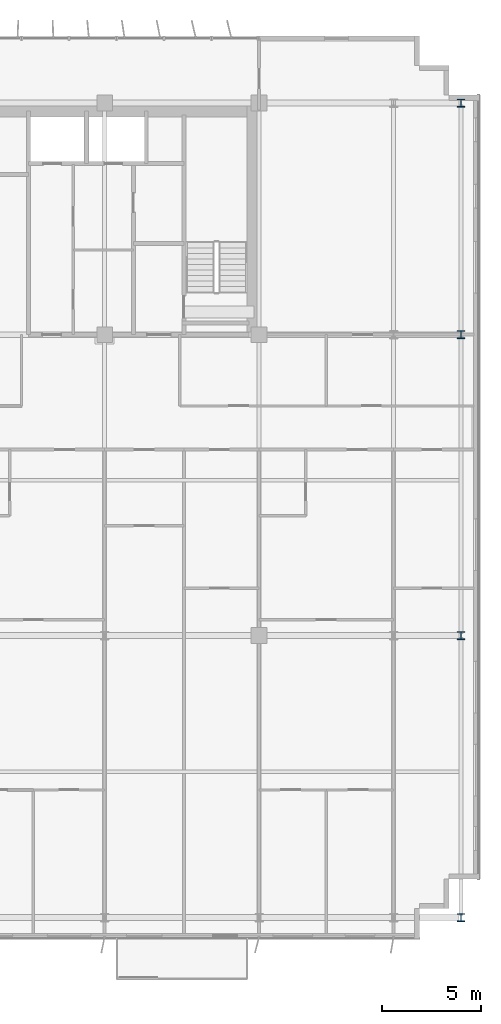
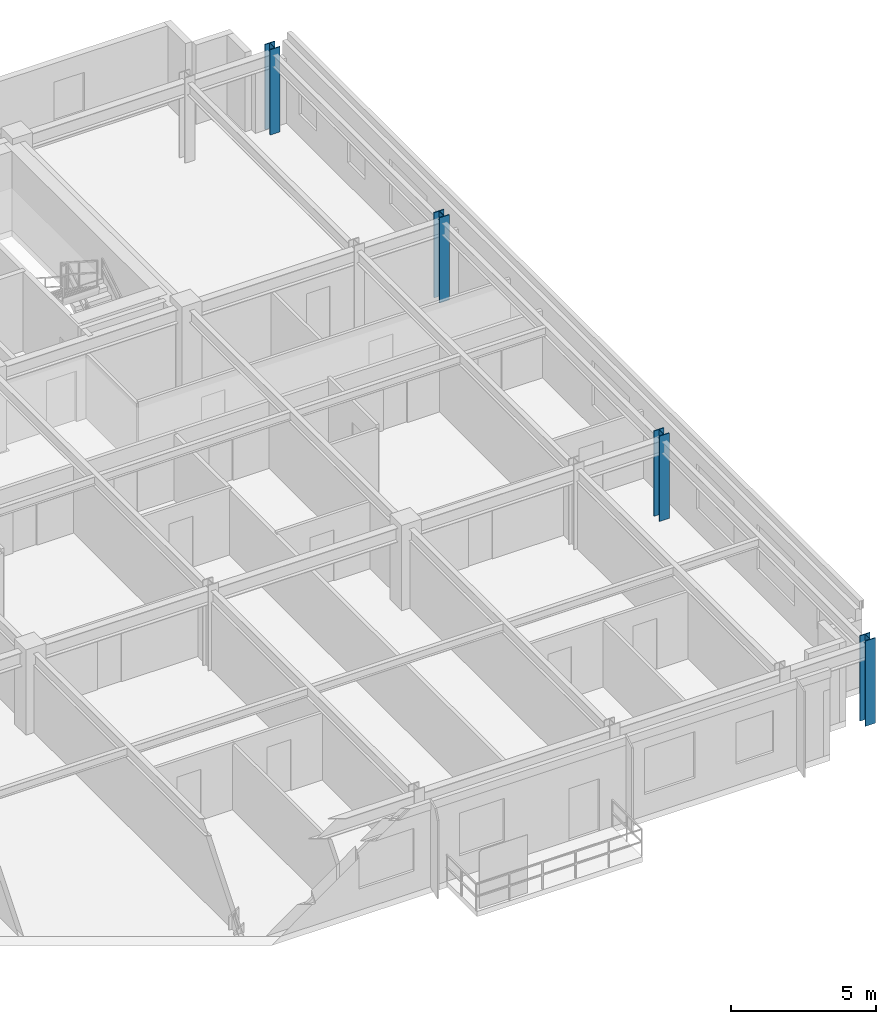
# One storey, part 3 of 21: 4 columns.
"""IFC4 building model written with IfcOpenShell, lengths in metres."""

from ifc_helpers import new_model, si_unit, direction, frame, origin, origin_2d, place, context, subcontext, project, spatial, i_section, extrude, source, transform, mapped, material, material_profile, profile_set, type_object, element, save


model = new_model("IFC4")

# Units and contexts
model_context = context("Model", 3, precision=1e-05, world=origin(), true_north=direction((0.0, 1.0)))
body_context = subcontext(model_context, "Body", "Model", "MODEL_VIEW")
ifc_project = project(units=[si_unit("LENGTHUNIT", "METRE"), si_unit("AREAUNIT", "SQUARE_METRE"), si_unit("VOLUMEUNIT", "CUBIC_METRE"), si_unit("PLANEANGLEUNIT", "RADIAN"), si_unit("MASSUNIT", "GRAM", prefix="KILO")], contexts=[model_context])

# Site, building, storey
site_placement = place(None, origin())
site = spatial("IfcSite", under=ifc_project, at=site_placement, CompositionType="ELEMENT")
building_placement = place(site_placement, origin())
building = spatial("IfcBuilding", under=site, at=building_placement, Name="Trelvane Seafront Commons", CompositionType="ELEMENT")
storey_placement = place(building_placement, frame((0.0, 0.0, 103.300048828125)))
storey = spatial("IfcBuildingStorey", under=building, at=storey_placement, Name="L26", CompositionType="ELEMENT", Elevation=103.300048828125)

# Columns
ifc_material = material(Name="Steel SM355 (S355)", Category="steel")
ifc_material_profile = material_profile(ifc_material, i_section(OverallWidth=0.39990234375, OverallDepth=0.39990234375, WebThickness=0.02197265625, FlangeThickness=0.034912109375, at=origin_2d()), Name="HD-400x400x22x35")
ifc_profile_set = profile_set([ifc_material_profile], Name="Steel SM355 (S355)")
column_type = type_object("IfcColumnType", Name="STR-COL-HD400", PredefinedType="COLUMN", material=ifc_profile_set)
shared_shape = source(origin(), body_context, "Body", "SweptSolid", [
    extrude(i_section(OverallWidth=0.39990234375, OverallDepth=0.39990234375, WebThickness=0.02197265625, FlangeThickness=0.034912109375, at=origin_2d()), origin(), (0.0, 0.0, 1.0), 3.599853515625),
])
for number, where, z_axis, x_axis, name in (
    (1, (69.0, 3.949951171875, 0.0), (0.0, 0.0, 1.0), (1.0, 0.0, 0.0), "L26 Column TC-S69.0"),
    (2, (69.0, 18.199951171875, 0.0), (0.0, 0.0, 1.0), (1.0, 0.0, 0.0), "L26 Column TC-M69.0"),
    (3, (69.0, 33.39990234375, 0.0), (0.0, 0.0, 1.0), (1.0, 0.0, 0.0), "L26 Column TC-CS69.0"),
    (4, (69.0, 45.10009765625, 0.0), (0.0, 0.0, 1.0), (1.0, 0.0, 0.0), "L26 Column TC-CN69.0"),
):
    element("IfcColumn", number, at=place(storey_placement, frame(where, z_axis=z_axis, x_axis=x_axis)), inside=storey, type_object=column_type, Name=name, PredefinedType="COLUMN", context=body_context, shape_type="MappedRepresentation", body=[
        mapped(shared_shape, transform((0.0, 0.0, 0.0), x_axis=(1.0, 0.0, 0.0), y_axis=(0.0, 1.0, 0.0), z_axis=(0.0, 0.0, 1.0), scale=1.0)),
    ])

save(model, "model.ifc")
